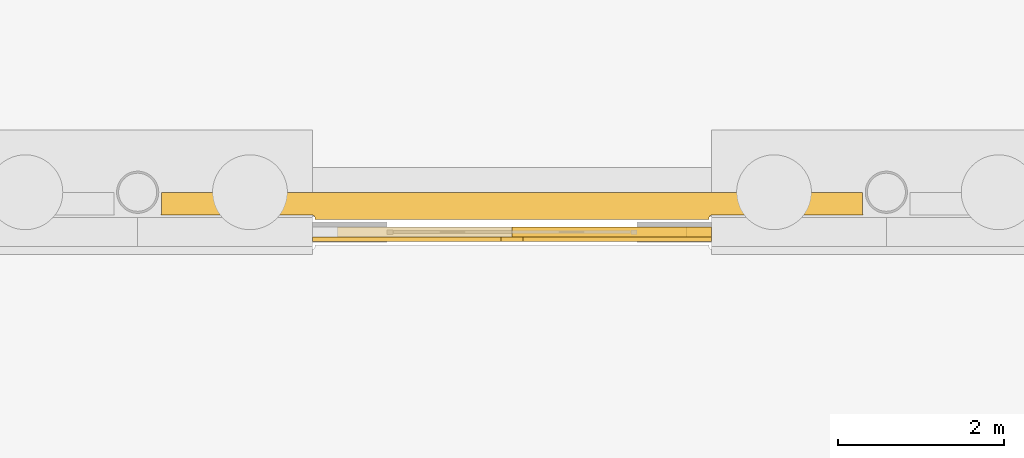
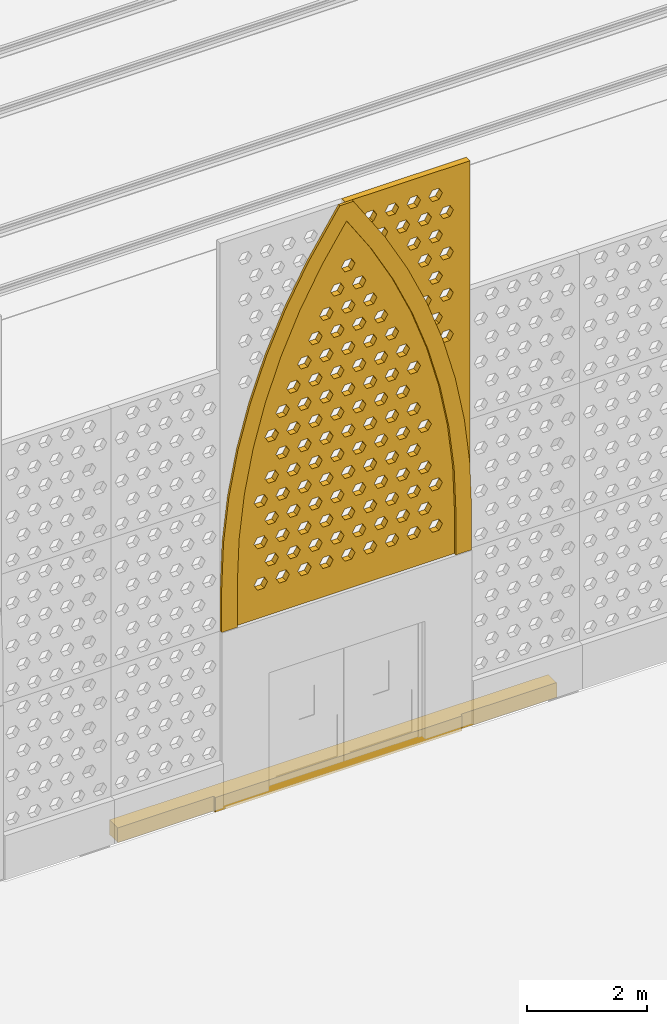
# One storey, part 207 of 250: 2 coverings, 2 shading devices.
"""IFC4 building model written with IfcOpenShell, lengths in metres."""

from ifc_helpers import new_model, si_unit, direction, frame, origin, place, context, subcontext, project, spatial, polyline, outline, extrude, material, layer, layer_set, type_object, element, save


model = new_model("IFC4")

# Units and contexts
model_context = context("Model", 3, precision=1e-05, world=origin(), true_north=direction((0.0, 1.0)))
body_context = subcontext(model_context, "Body", "Model", "MODEL_VIEW")
ifc_project = project(units=[si_unit("LENGTHUNIT", "METRE"), si_unit("AREAUNIT", "SQUARE_METRE"), si_unit("VOLUMEUNIT", "CUBIC_METRE"), si_unit("PLANEANGLEUNIT", "RADIAN"), si_unit("MASSUNIT", "GRAM", prefix="KILO")], contexts=[model_context])

# Site, building, storey
site_placement = place(None, origin())
site = spatial("IfcSite", under=ifc_project, at=site_placement, CompositionType="ELEMENT")
building_placement = place(site_placement, origin())
building = spatial("IfcBuilding", under=site, at=building_placement, Name="Baradari Gate Terminus", CompositionType="ELEMENT")
storey_placement = place(building_placement, origin())
storey = spatial("IfcBuildingStorey", under=building, at=storey_placement, Name="L00", CompositionType="ELEMENT", Elevation=0.0)

# Covering
ifc_material_1 = material(Name="Laterite masonry", Category="masonry")
ifc_layer_1 = layer(ifc_material_1, 0.050048828125)
ifc_layer_set_1 = layer_set([ifc_layer_1], Name="Laterite masonry")
covering_type_1 = type_object("IfcCoveringType", Name="Arch ring RG-1 50", PredefinedType="CLADDING", material=ifc_layer_set_1)
covering_1_placement = place(storey_placement, frame((218.10009765625, 35.43505859375, 3.52490234375), z_axis=(0.0, 0.0, 1.0), x_axis=(1.0, 0.0, 0.0)))
element("IfcCovering", 1, at=covering_1_placement, inside=storey, type_object=covering_type_1, Name="Arch ring RG-1 SC07b", PredefinedType="CLADDING", context=body_context, shape_type="SweptSolid", body=[
    extrude(outline(polyline([(0.034423828125, 1.8046875), (0.0, 0.90576171875), (0.0, 0.0), (0.300048828125, 0.0), (0.300048828125, 0.900146484375), (0.333740234375, 1.78173828125), (0.435302734375, 2.658203125), (0.603515625, 3.5244140625), (0.837646484375, 4.375), (1.13623046875, 5.205322265625), (1.49755859375, 6.01025390625), (1.919677734375, 6.784912109375), (2.39990234375, 7.525146484375), (2.880126953125, 6.784912109375), (3.30224609375, 6.01025390625), (3.663818359375, 5.205322265625), (3.96240234375, 4.375), (4.196533203125, 3.5244140625), (4.36474609375, 2.658203125), (4.466064453125, 1.78173828125), (4.5, 0.900146484375), (4.5, 0.0), (4.800048828125, 0.0), (4.800048828125, 0.90576171875), (4.765380859375, 1.8046875), (4.66162109375, 2.7041015625), (4.48876953125, 3.5927734375), (4.24853515625, 4.4658203125), (3.942138671875, 5.317626953125), (3.5712890625, 6.1435546875), (3.13818359375, 6.9384765625), (2.530517578125, 7.875), (2.26953125, 7.875), (1.661865234375, 6.9384765625), (1.228759765625, 6.1435546875), (0.85791015625, 5.317626953125), (0.55126953125, 4.4658203125), (0.31103515625, 3.5927734375), (0.138427734375, 2.7041015625), (0.034423828125, 1.8046875)])), frame((0.0, 0.02490234375, 0.0), z_axis=(0.0, -1.0, 0.0), x_axis=(1.0, 0.0, 0.0)), (0.0, 0.0, 1.0), 0.050048828125),
])

# Shading devices
ifc_material_2 = material(Name="Concrete C50/60 precast", Category="concrete")
ifc_layer_2 = layer(ifc_material_2, 0.1201171875)
ifc_layer_set_2 = layer_set([ifc_layer_2], Name="Concrete C50/60 precast")
shading_device_type = type_object("IfcShadingDeviceType", Name="Jali screen panel JS-2 120", PredefinedType="SHUTTER", material=ifc_layer_set_2)
shading_device_1_placement = place(storey_placement, frame((218.39990234375, 35.52001953125, 3.52490234375), z_axis=(0.0, 0.0, 1.0), x_axis=(1.0, 0.0, 0.0)))
element("IfcShadingDevice", 2, at=shading_device_1_placement, inside=storey, type_object=shading_device_type, Name="Jali screen panel JS-2 SC07b arch A", PredefinedType="SHUTTER", context=body_context, shape_type="SweptSolid", body=[
    extrude(outline(polyline([(0.0, 0.900146484375), (0.0, 0.0), (4.199951171875, 0.0), (4.199951171875, 0.900146484375), (4.166259765625, 1.78173828125), (4.064697265625, 2.658203125), (3.896484375, 3.5244140625), (3.662353515625, 4.375), (3.36376953125, 5.205322265625), (3.00244140625, 6.01025390625), (2.580322265625, 6.784912109375), (2.10009765625, 7.525146484375), (1.619873046875, 6.784912109375), (1.19775390625, 6.01025390625), (0.836181640625, 5.205322265625), (0.53759765625, 4.375), (0.303466796875, 3.5244140625), (0.13525390625, 2.658203125), (0.033935546875, 1.78173828125), (0.0, 0.900146484375)]), holes=[polyline([(0.610107421875, 0.690185546875), (0.544921875, 0.57763671875), (0.4150390625, 0.57763671875), (0.35009765625, 0.690185546875), (0.4150390625, 0.802734375), (0.544921875, 0.802734375), (0.610107421875, 0.690185546875)]), polyline([(1.030029296875, 0.690185546875), (0.965087890625, 0.57763671875), (0.8349609375, 0.57763671875), (0.77001953125, 0.690185546875), (0.8349609375, 0.802734375), (0.965087890625, 0.802734375), (1.030029296875, 0.690185546875)]), polyline([(1.449951171875, 0.690185546875), (1.385009765625, 0.57763671875), (1.2548828125, 0.57763671875), (1.18994140625, 0.690185546875), (1.2548828125, 0.802734375), (1.385009765625, 0.802734375), (1.449951171875, 0.690185546875)]), polyline([(1.8701171875, 0.690185546875), (1.804931640625, 0.57763671875), (1.675048828125, 0.57763671875), (1.610107421875, 0.690185546875), (1.675048828125, 0.802734375), (1.804931640625, 0.802734375), (1.8701171875, 0.690185546875)]), polyline([(2.2900390625, 0.690185546875), (2.22509765625, 0.57763671875), (2.094970703125, 0.57763671875), (2.030029296875, 0.690185546875), (2.094970703125, 0.802734375), (2.22509765625, 0.802734375), (2.2900390625, 0.690185546875)]), polyline([(2.7099609375, 0.690185546875), (2.64501953125, 0.57763671875), (2.514892578125, 0.57763671875), (2.449951171875, 0.690185546875), (2.514892578125, 0.802734375), (2.64501953125, 0.802734375), (2.7099609375, 0.690185546875)]), polyline([(3.1298828125, 0.690185546875), (3.06494140625, 0.57763671875), (2.93505859375, 0.57763671875), (2.8701171875, 0.690185546875), (2.93505859375, 0.802734375), (3.06494140625, 0.802734375), (3.1298828125, 0.690185546875)]), polyline([(3.550048828125, 0.690185546875), (3.485107421875, 0.57763671875), (3.35498046875, 0.57763671875), (3.2900390625, 0.690185546875), (3.35498046875, 0.802734375), (3.485107421875, 0.802734375), (3.550048828125, 0.690185546875)]), polyline([(3.969970703125, 0.690185546875), (3.905029296875, 0.57763671875), (3.77490234375, 0.57763671875), (3.7099609375, 0.690185546875), (3.77490234375, 0.802734375), (3.905029296875, 0.802734375), (3.969970703125, 0.690185546875)]), polyline([(0.820068359375, 1.110107421875), (0.7548828125, 0.99755859375), (0.625, 0.99755859375), (0.56005859375, 1.110107421875), (0.625, 1.22265625), (0.7548828125, 1.22265625), (0.820068359375, 1.110107421875)]), polyline([(1.239990234375, 1.110107421875), (1.175048828125, 0.99755859375), (1.044921875, 0.99755859375), (0.97998046875, 1.110107421875), (1.044921875, 1.22265625), (1.175048828125, 1.22265625), (1.239990234375, 1.110107421875)]), polyline([(1.659912109375, 1.110107421875), (1.594970703125, 0.99755859375), (1.465087890625, 0.99755859375), (1.39990234375, 1.110107421875), (1.465087890625, 1.22265625), (1.594970703125, 1.22265625), (1.659912109375, 1.110107421875)]), polyline([(2.080078125, 1.110107421875), (2.014892578125, 0.99755859375), (1.885009765625, 0.99755859375), (1.820068359375, 1.110107421875), (1.885009765625, 1.22265625), (2.014892578125, 1.22265625), (2.080078125, 1.110107421875)]), polyline([(2.5, 1.110107421875), (2.43505859375, 0.99755859375), (2.304931640625, 0.99755859375), (2.239990234375, 1.110107421875), (2.304931640625, 1.22265625), (2.43505859375, 1.22265625), (2.5, 1.110107421875)]), polyline([(2.919921875, 1.110107421875), (2.85498046875, 0.99755859375), (2.72509765625, 0.99755859375), (2.659912109375, 1.110107421875), (2.72509765625, 1.22265625), (2.85498046875, 1.22265625), (2.919921875, 1.110107421875)]), polyline([(3.340087890625, 1.110107421875), (3.27490234375, 0.99755859375), (3.14501953125, 0.99755859375), (3.080078125, 1.110107421875), (3.14501953125, 1.22265625), (3.27490234375, 1.22265625), (3.340087890625, 1.110107421875)]), polyline([(3.760009765625, 1.110107421875), (3.695068359375, 0.99755859375), (3.56494140625, 0.99755859375), (3.5, 1.110107421875), (3.56494140625, 1.22265625), (3.695068359375, 1.22265625), (3.760009765625, 1.110107421875)]), polyline([(0.610107421875, 1.530029296875), (0.544921875, 1.41748046875), (0.4150390625, 1.41748046875), (0.35009765625, 1.530029296875), (0.4150390625, 1.642578125), (0.544921875, 1.642578125), (0.610107421875, 1.530029296875)]), polyline([(1.030029296875, 1.530029296875), (0.965087890625, 1.41748046875), (0.8349609375, 1.41748046875), (0.77001953125, 1.530029296875), (0.8349609375, 1.642578125), (0.965087890625, 1.642578125), (1.030029296875, 1.530029296875)]), polyline([(1.449951171875, 1.530029296875), (1.385009765625, 1.41748046875), (1.2548828125, 1.41748046875), (1.18994140625, 1.530029296875), (1.2548828125, 1.642578125), (1.385009765625, 1.642578125), (1.449951171875, 1.530029296875)]), polyline([(1.8701171875, 1.530029296875), (1.804931640625, 1.41748046875), (1.675048828125, 1.41748046875), (1.610107421875, 1.530029296875), (1.675048828125, 1.642578125), (1.804931640625, 1.642578125), (1.8701171875, 1.530029296875)]), polyline([(2.2900390625, 1.530029296875), (2.22509765625, 1.41748046875), (2.094970703125, 1.41748046875), (2.030029296875, 1.530029296875), (2.094970703125, 1.642578125), (2.22509765625, 1.642578125), (2.2900390625, 1.530029296875)]), polyline([(2.7099609375, 1.530029296875), (2.64501953125, 1.41748046875), (2.514892578125, 1.41748046875), (2.449951171875, 1.530029296875), (2.514892578125, 1.642578125), (2.64501953125, 1.642578125), (2.7099609375, 1.530029296875)]), polyline([(3.1298828125, 1.530029296875), (3.06494140625, 1.41748046875), (2.93505859375, 1.41748046875), (2.8701171875, 1.530029296875), (2.93505859375, 1.642578125), (3.06494140625, 1.642578125), (3.1298828125, 1.530029296875)]), polyline([(3.550048828125, 1.530029296875), (3.485107421875, 1.41748046875), (3.35498046875, 1.41748046875), (3.2900390625, 1.530029296875), (3.35498046875, 1.642578125), (3.485107421875, 1.642578125), (3.550048828125, 1.530029296875)]), polyline([(3.969970703125, 1.530029296875), (3.905029296875, 1.41748046875), (3.77490234375, 1.41748046875), (3.7099609375, 1.530029296875), (3.77490234375, 1.642578125), (3.905029296875, 1.642578125), (3.969970703125, 1.530029296875)]), polyline([(0.820068359375, 1.9501953125), (0.7548828125, 1.83740234375), (0.625, 1.83740234375), (0.56005859375, 1.9501953125), (0.625, 2.062744140625), (0.7548828125, 2.062744140625), (0.820068359375, 1.9501953125)]), polyline([(1.239990234375, 1.9501953125), (1.175048828125, 1.83740234375), (1.044921875, 1.83740234375), (0.97998046875, 1.9501953125), (1.044921875, 2.062744140625), (1.175048828125, 2.062744140625), (1.239990234375, 1.9501953125)]), polyline([(1.659912109375, 1.9501953125), (1.594970703125, 1.83740234375), (1.465087890625, 1.83740234375), (1.39990234375, 1.9501953125), (1.465087890625, 2.062744140625), (1.594970703125, 2.062744140625), (1.659912109375, 1.9501953125)]), polyline([(2.080078125, 1.9501953125), (2.014892578125, 1.83740234375), (1.885009765625, 1.83740234375), (1.820068359375, 1.9501953125), (1.885009765625, 2.062744140625), (2.014892578125, 2.062744140625), (2.080078125, 1.9501953125)]), polyline([(2.5, 1.9501953125), (2.43505859375, 1.83740234375), (2.304931640625, 1.83740234375), (2.239990234375, 1.9501953125), (2.304931640625, 2.062744140625), (2.43505859375, 2.062744140625), (2.5, 1.9501953125)]), polyline([(2.919921875, 1.9501953125), (2.85498046875, 1.83740234375), (2.72509765625, 1.83740234375), (2.659912109375, 1.9501953125), (2.72509765625, 2.062744140625), (2.85498046875, 2.062744140625), (2.919921875, 1.9501953125)]), polyline([(3.340087890625, 1.9501953125), (3.27490234375, 1.83740234375), (3.14501953125, 1.83740234375), (3.080078125, 1.9501953125), (3.14501953125, 2.062744140625), (3.27490234375, 2.062744140625), (3.340087890625, 1.9501953125)]), polyline([(3.760009765625, 1.9501953125), (3.695068359375, 1.83740234375), (3.56494140625, 1.83740234375), (3.5, 1.9501953125), (3.56494140625, 2.062744140625), (3.695068359375, 2.062744140625), (3.760009765625, 1.9501953125)]), polyline([(0.610107421875, 2.3701171875), (0.544921875, 2.257568359375), (0.4150390625, 2.257568359375), (0.35009765625, 2.3701171875), (0.4150390625, 2.482666015625), (0.544921875, 2.482666015625), (0.610107421875, 2.3701171875)]), polyline([(1.030029296875, 2.3701171875), (0.965087890625, 2.257568359375), (0.8349609375, 2.257568359375), (0.77001953125, 2.3701171875), (0.8349609375, 2.482666015625), (0.965087890625, 2.482666015625), (1.030029296875, 2.3701171875)]), polyline([(1.449951171875, 2.3701171875), (1.385009765625, 2.257568359375), (1.2548828125, 2.257568359375), (1.18994140625, 2.3701171875), (1.2548828125, 2.482666015625), (1.385009765625, 2.482666015625), (1.449951171875, 2.3701171875)]), polyline([(1.8701171875, 2.3701171875), (1.804931640625, 2.257568359375), (1.675048828125, 2.257568359375), (1.610107421875, 2.3701171875), (1.675048828125, 2.482666015625), (1.804931640625, 2.482666015625), (1.8701171875, 2.3701171875)]), polyline([(2.2900390625, 2.3701171875), (2.22509765625, 2.257568359375), (2.094970703125, 2.257568359375), (2.030029296875, 2.3701171875), (2.094970703125, 2.482666015625), (2.22509765625, 2.482666015625), (2.2900390625, 2.3701171875)]), polyline([(2.7099609375, 2.3701171875), (2.64501953125, 2.257568359375), (2.514892578125, 2.257568359375), (2.449951171875, 2.3701171875), (2.514892578125, 2.482666015625), (2.64501953125, 2.482666015625), (2.7099609375, 2.3701171875)]), polyline([(3.1298828125, 2.3701171875), (3.06494140625, 2.257568359375), (2.93505859375, 2.257568359375), (2.8701171875, 2.3701171875), (2.93505859375, 2.482666015625), (3.06494140625, 2.482666015625), (3.1298828125, 2.3701171875)]), polyline([(3.550048828125, 2.3701171875), (3.485107421875, 2.257568359375), (3.35498046875, 2.257568359375), (3.2900390625, 2.3701171875), (3.35498046875, 2.482666015625), (3.485107421875, 2.482666015625), (3.550048828125, 2.3701171875)]), polyline([(0.820068359375, 2.7900390625), (0.7548828125, 2.677490234375), (0.625, 2.677490234375), (0.56005859375, 2.7900390625), (0.625, 2.902587890625), (0.7548828125, 2.902587890625), (0.820068359375, 2.7900390625)]), polyline([(1.239990234375, 2.7900390625), (1.175048828125, 2.677490234375), (1.044921875, 2.677490234375), (0.97998046875, 2.7900390625), (1.044921875, 2.902587890625), (1.175048828125, 2.902587890625), (1.239990234375, 2.7900390625)]), polyline([(1.659912109375, 2.7900390625), (1.594970703125, 2.677490234375), (1.465087890625, 2.677490234375), (1.39990234375, 2.7900390625), (1.465087890625, 2.902587890625), (1.594970703125, 2.902587890625), (1.659912109375, 2.7900390625)]), polyline([(2.080078125, 2.7900390625), (2.014892578125, 2.677490234375), (1.885009765625, 2.677490234375), (1.820068359375, 2.7900390625), (1.885009765625, 2.902587890625), (2.014892578125, 2.902587890625), (2.080078125, 2.7900390625)]), polyline([(2.5, 2.7900390625), (2.43505859375, 2.677490234375), (2.304931640625, 2.677490234375), (2.239990234375, 2.7900390625), (2.304931640625, 2.902587890625), (2.43505859375, 2.902587890625), (2.5, 2.7900390625)]), polyline([(2.919921875, 2.7900390625), (2.85498046875, 2.677490234375), (2.72509765625, 2.677490234375), (2.659912109375, 2.7900390625), (2.72509765625, 2.902587890625), (2.85498046875, 2.902587890625), (2.919921875, 2.7900390625)]), polyline([(3.340087890625, 2.7900390625), (3.27490234375, 2.677490234375), (3.14501953125, 2.677490234375), (3.080078125, 2.7900390625), (3.14501953125, 2.902587890625), (3.27490234375, 2.902587890625), (3.340087890625, 2.7900390625)]), polyline([(3.760009765625, 2.7900390625), (3.695068359375, 2.677490234375), (3.56494140625, 2.677490234375), (3.5, 2.7900390625), (3.56494140625, 2.902587890625), (3.695068359375, 2.902587890625), (3.760009765625, 2.7900390625)]), polyline([(1.030029296875, 3.210205078125), (0.965087890625, 3.097412109375), (0.8349609375, 3.097412109375), (0.77001953125, 3.210205078125), (0.8349609375, 3.32275390625), (0.965087890625, 3.32275390625), (1.030029296875, 3.210205078125)]), polyline([(1.449951171875, 3.210205078125), (1.385009765625, 3.097412109375), (1.2548828125, 3.097412109375), (1.18994140625, 3.210205078125), (1.2548828125, 3.32275390625), (1.385009765625, 3.32275390625), (1.449951171875, 3.210205078125)]), polyline([(1.8701171875, 3.210205078125), (1.804931640625, 3.097412109375), (1.675048828125, 3.097412109375), (1.610107421875, 3.210205078125), (1.675048828125, 3.32275390625), (1.804931640625, 3.32275390625), (1.8701171875, 3.210205078125)]), polyline([(2.2900390625, 3.210205078125), (2.22509765625, 3.097412109375), (2.094970703125, 3.097412109375), (2.030029296875, 3.210205078125), (2.094970703125, 3.32275390625), (2.22509765625, 3.32275390625), (2.2900390625, 3.210205078125)]), polyline([(2.7099609375, 3.210205078125), (2.64501953125, 3.097412109375), (2.514892578125, 3.097412109375), (2.449951171875, 3.210205078125), (2.514892578125, 3.32275390625), (2.64501953125, 3.32275390625), (2.7099609375, 3.210205078125)]), polyline([(3.1298828125, 3.210205078125), (3.06494140625, 3.097412109375), (2.93505859375, 3.097412109375), (2.8701171875, 3.210205078125), (2.93505859375, 3.32275390625), (3.06494140625, 3.32275390625), (3.1298828125, 3.210205078125)]), polyline([(3.550048828125, 3.210205078125), (3.485107421875, 3.097412109375), (3.35498046875, 3.097412109375), (3.2900390625, 3.210205078125), (3.35498046875, 3.32275390625), (3.485107421875, 3.32275390625), (3.550048828125, 3.210205078125)]), polyline([(0.820068359375, 3.630126953125), (0.7548828125, 3.517578125), (0.625, 3.517578125), (0.56005859375, 3.630126953125), (0.625, 3.74267578125), (0.7548828125, 3.74267578125), (0.820068359375, 3.630126953125)]), polyline([(1.239990234375, 3.630126953125), (1.175048828125, 3.517578125), (1.044921875, 3.517578125), (0.97998046875, 3.630126953125), (1.044921875, 3.74267578125), (1.175048828125, 3.74267578125), (1.239990234375, 3.630126953125)]), polyline([(1.659912109375, 3.630126953125), (1.594970703125, 3.517578125), (1.465087890625, 3.517578125), (1.39990234375, 3.630126953125), (1.465087890625, 3.74267578125), (1.594970703125, 3.74267578125), (1.659912109375, 3.630126953125)]), polyline([(2.080078125, 3.630126953125), (2.014892578125, 3.517578125), (1.885009765625, 3.517578125), (1.820068359375, 3.630126953125), (1.885009765625, 3.74267578125), (2.014892578125, 3.74267578125), (2.080078125, 3.630126953125)]), polyline([(2.5, 3.630126953125), (2.43505859375, 3.517578125), (2.304931640625, 3.517578125), (2.239990234375, 3.630126953125), (2.304931640625, 3.74267578125), (2.43505859375, 3.74267578125), (2.5, 3.630126953125)]), polyline([(2.919921875, 3.630126953125), (2.85498046875, 3.517578125), (2.72509765625, 3.517578125), (2.659912109375, 3.630126953125), (2.72509765625, 3.74267578125), (2.85498046875, 3.74267578125), (2.919921875, 3.630126953125)]), polyline([(3.340087890625, 3.630126953125), (3.27490234375, 3.517578125), (3.14501953125, 3.517578125), (3.080078125, 3.630126953125), (3.14501953125, 3.74267578125), (3.27490234375, 3.74267578125), (3.340087890625, 3.630126953125)]), polyline([(1.030029296875, 4.050048828125), (0.965087890625, 3.9375), (0.8349609375, 3.9375), (0.77001953125, 4.050048828125), (0.8349609375, 4.16259765625), (0.965087890625, 4.16259765625), (1.030029296875, 4.050048828125)]), polyline([(1.449951171875, 4.050048828125), (1.385009765625, 3.9375), (1.2548828125, 3.9375), (1.18994140625, 4.050048828125), (1.2548828125, 4.16259765625), (1.385009765625, 4.16259765625), (1.449951171875, 4.050048828125)]), polyline([(1.8701171875, 4.050048828125), (1.804931640625, 3.9375), (1.675048828125, 3.9375), (1.610107421875, 4.050048828125), (1.675048828125, 4.16259765625), (1.804931640625, 4.16259765625), (1.8701171875, 4.050048828125)]), polyline([(2.2900390625, 4.050048828125), (2.22509765625, 3.9375), (2.094970703125, 3.9375), (2.030029296875, 4.050048828125), (2.094970703125, 4.16259765625), (2.22509765625, 4.16259765625), (2.2900390625, 4.050048828125)]), polyline([(2.7099609375, 4.050048828125), (2.64501953125, 3.9375), (2.514892578125, 3.9375), (2.449951171875, 4.050048828125), (2.514892578125, 4.16259765625), (2.64501953125, 4.16259765625), (2.7099609375, 4.050048828125)]), polyline([(3.1298828125, 4.050048828125), (3.06494140625, 3.9375), (2.93505859375, 3.9375), (2.8701171875, 4.050048828125), (2.93505859375, 4.16259765625), (3.06494140625, 4.16259765625), (3.1298828125, 4.050048828125)]), polyline([(3.550048828125, 4.050048828125), (3.485107421875, 3.9375), (3.35498046875, 3.9375), (3.2900390625, 4.050048828125), (3.35498046875, 4.16259765625), (3.485107421875, 4.16259765625), (3.550048828125, 4.050048828125)]), polyline([(1.239990234375, 4.47021484375), (1.175048828125, 4.357421875), (1.044921875, 4.357421875), (0.97998046875, 4.47021484375), (1.044921875, 4.582763671875), (1.175048828125, 4.582763671875), (1.239990234375, 4.47021484375)]), polyline([(1.659912109375, 4.47021484375), (1.594970703125, 4.357421875), (1.465087890625, 4.357421875), (1.39990234375, 4.47021484375), (1.465087890625, 4.582763671875), (1.594970703125, 4.582763671875), (1.659912109375, 4.47021484375)]), polyline([(2.080078125, 4.47021484375), (2.014892578125, 4.357421875), (1.885009765625, 4.357421875), (1.820068359375, 4.47021484375), (1.885009765625, 4.582763671875), (2.014892578125, 4.582763671875), (2.080078125, 4.47021484375)]), polyline([(2.5, 4.47021484375), (2.43505859375, 4.357421875), (2.304931640625, 4.357421875), (2.239990234375, 4.47021484375), (2.304931640625, 4.582763671875), (2.43505859375, 4.582763671875), (2.5, 4.47021484375)]), polyline([(2.919921875, 4.47021484375), (2.85498046875, 4.357421875), (2.72509765625, 4.357421875), (2.659912109375, 4.47021484375), (2.72509765625, 4.582763671875), (2.85498046875, 4.582763671875), (2.919921875, 4.47021484375)]), polyline([(3.340087890625, 4.47021484375), (3.27490234375, 4.357421875), (3.14501953125, 4.357421875), (3.080078125, 4.47021484375), (3.14501953125, 4.582763671875), (3.27490234375, 4.582763671875), (3.340087890625, 4.47021484375)]), polyline([(1.449951171875, 4.89013671875), (1.385009765625, 4.777587890625), (1.2548828125, 4.777587890625), (1.18994140625, 4.89013671875), (1.2548828125, 5.002685546875), (1.385009765625, 5.002685546875), (1.449951171875, 4.89013671875)]), polyline([(1.8701171875, 4.89013671875), (1.804931640625, 4.777587890625), (1.675048828125, 4.777587890625), (1.610107421875, 4.89013671875), (1.675048828125, 5.002685546875), (1.804931640625, 5.002685546875), (1.8701171875, 4.89013671875)]), polyline([(2.2900390625, 4.89013671875), (2.22509765625, 4.777587890625), (2.094970703125, 4.777587890625), (2.030029296875, 4.89013671875), (2.094970703125, 5.002685546875), (2.22509765625, 5.002685546875), (2.2900390625, 4.89013671875)]), polyline([(2.7099609375, 4.89013671875), (2.64501953125, 4.777587890625), (2.514892578125, 4.777587890625), (2.449951171875, 4.89013671875), (2.514892578125, 5.002685546875), (2.64501953125, 5.002685546875), (2.7099609375, 4.89013671875)]), polyline([(3.1298828125, 4.89013671875), (3.06494140625, 4.777587890625), (2.93505859375, 4.777587890625), (2.8701171875, 4.89013671875), (2.93505859375, 5.002685546875), (3.06494140625, 5.002685546875), (3.1298828125, 4.89013671875)]), polyline([(1.659912109375, 5.31005859375), (1.594970703125, 5.197509765625), (1.465087890625, 5.197509765625), (1.39990234375, 5.31005859375), (1.465087890625, 5.422607421875), (1.594970703125, 5.422607421875), (1.659912109375, 5.31005859375)]), polyline([(2.080078125, 5.31005859375), (2.014892578125, 5.197509765625), (1.885009765625, 5.197509765625), (1.820068359375, 5.31005859375), (1.885009765625, 5.422607421875), (2.014892578125, 5.422607421875), (2.080078125, 5.31005859375)]), polyline([(2.5, 5.31005859375), (2.43505859375, 5.197509765625), (2.304931640625, 5.197509765625), (2.239990234375, 5.31005859375), (2.304931640625, 5.422607421875), (2.43505859375, 5.422607421875), (2.5, 5.31005859375)]), polyline([(2.919921875, 5.31005859375), (2.85498046875, 5.197509765625), (2.72509765625, 5.197509765625), (2.659912109375, 5.31005859375), (2.72509765625, 5.422607421875), (2.85498046875, 5.422607421875), (2.919921875, 5.31005859375)]), polyline([(1.8701171875, 5.72998046875), (1.804931640625, 5.617431640625), (1.675048828125, 5.617431640625), (1.610107421875, 5.72998046875), (1.675048828125, 5.8427734375), (1.804931640625, 5.8427734375), (1.8701171875, 5.72998046875)]), polyline([(2.2900390625, 5.72998046875), (2.22509765625, 5.617431640625), (2.094970703125, 5.617431640625), (2.030029296875, 5.72998046875), (2.094970703125, 5.8427734375), (2.22509765625, 5.8427734375), (2.2900390625, 5.72998046875)]), polyline([(2.7099609375, 5.72998046875), (2.64501953125, 5.617431640625), (2.514892578125, 5.617431640625), (2.449951171875, 5.72998046875), (2.514892578125, 5.8427734375), (2.64501953125, 5.8427734375), (2.7099609375, 5.72998046875)]), polyline([(2.080078125, 6.150146484375), (2.014892578125, 6.03759765625), (1.885009765625, 6.03759765625), (1.820068359375, 6.150146484375), (1.885009765625, 6.2626953125), (2.014892578125, 6.2626953125), (2.080078125, 6.150146484375)]), polyline([(2.5, 6.150146484375), (2.43505859375, 6.03759765625), (2.304931640625, 6.03759765625), (2.239990234375, 6.150146484375), (2.304931640625, 6.2626953125), (2.43505859375, 6.2626953125), (2.5, 6.150146484375)]), polyline([(2.2900390625, 6.570068359375), (2.22509765625, 6.45751953125), (2.094970703125, 6.45751953125), (2.030029296875, 6.570068359375), (2.094970703125, 6.6826171875), (2.22509765625, 6.6826171875), (2.2900390625, 6.570068359375)])]), frame((0.0, 0.06005859375, 0.0), z_axis=(0.0, -1.0, 0.0), x_axis=(1.0, 0.0, 0.0)), (0.0, 0.0, 1.0), 0.1201171875),
])
shading_device_2_placement = place(storey_placement, frame((220.5, 35.52001953125, 3.52490234375), z_axis=(0.0, 0.0, 1.0), x_axis=(1.0, 0.0, 0.0)))
element("IfcShadingDevice", 3, at=shading_device_2_placement, inside=storey, type_object=shading_device_type, Name="Jali screen panel JS-2 SC07b arch R1", PredefinedType="SHUTTER", context=body_context, shape_type="SweptSolid", body=[
    extrude(outline(polyline([(0.0, 7.875), (0.0, 7.525146484375), (0.480224609375, 6.784912109375), (0.90234375, 6.01025390625), (1.263671875, 5.205322265625), (1.5625, 4.375), (1.796630859375, 3.5244140625), (1.96484375, 2.658203125), (2.066162109375, 1.78173828125), (2.10009765625, 0.900146484375), (2.10009765625, 0.0), (2.39990234375, 0.0), (2.39990234375, 7.875), (0.0, 7.875)]), holes=[polyline([(2.080078125, 4.47021484375), (2.014892578125, 4.357421875), (1.885009765625, 4.357421875), (1.820068359375, 4.47021484375), (1.885009765625, 4.582763671875), (2.014892578125, 4.582763671875), (2.080078125, 4.47021484375)]), polyline([(1.8701171875, 4.89013671875), (1.804931640625, 4.777587890625), (1.675048828125, 4.777587890625), (1.610107421875, 4.89013671875), (1.675048828125, 5.002685546875), (1.804931640625, 5.002685546875), (1.8701171875, 4.89013671875)]), polyline([(1.659912109375, 5.31005859375), (1.594970703125, 5.197509765625), (1.465087890625, 5.197509765625), (1.39990234375, 5.31005859375), (1.465087890625, 5.422607421875), (1.594970703125, 5.422607421875), (1.659912109375, 5.31005859375)]), polyline([(2.080078125, 5.31005859375), (2.014892578125, 5.197509765625), (1.885009765625, 5.197509765625), (1.820068359375, 5.31005859375), (1.885009765625, 5.422607421875), (2.014892578125, 5.422607421875), (2.080078125, 5.31005859375)]), polyline([(1.8701171875, 5.72998046875), (1.804931640625, 5.617431640625), (1.675048828125, 5.617431640625), (1.610107421875, 5.72998046875), (1.675048828125, 5.8427734375), (1.804931640625, 5.8427734375), (1.8701171875, 5.72998046875)]), polyline([(1.659912109375, 6.150146484375), (1.594970703125, 6.03759765625), (1.465087890625, 6.03759765625), (1.39990234375, 6.150146484375), (1.465087890625, 6.2626953125), (1.594970703125, 6.2626953125), (1.659912109375, 6.150146484375)]), polyline([(2.080078125, 6.150146484375), (2.014892578125, 6.03759765625), (1.885009765625, 6.03759765625), (1.820068359375, 6.150146484375), (1.885009765625, 6.2626953125), (2.014892578125, 6.2626953125), (2.080078125, 6.150146484375)]), polyline([(1.449951171875, 6.570068359375), (1.385009765625, 6.45751953125), (1.2548828125, 6.45751953125), (1.18994140625, 6.570068359375), (1.2548828125, 6.6826171875), (1.385009765625, 6.6826171875), (1.449951171875, 6.570068359375)]), polyline([(1.8701171875, 6.570068359375), (1.804931640625, 6.45751953125), (1.675048828125, 6.45751953125), (1.610107421875, 6.570068359375), (1.675048828125, 6.6826171875), (1.804931640625, 6.6826171875), (1.8701171875, 6.570068359375)]), polyline([(0.820068359375, 6.989990234375), (0.7548828125, 6.87744140625), (0.625, 6.87744140625), (0.56005859375, 6.989990234375), (0.625, 7.102783203125), (0.7548828125, 7.102783203125), (0.820068359375, 6.989990234375)]), polyline([(1.239990234375, 6.989990234375), (1.175048828125, 6.87744140625), (1.044921875, 6.87744140625), (0.97998046875, 6.989990234375), (1.044921875, 7.102783203125), (1.175048828125, 7.102783203125), (1.239990234375, 6.989990234375)]), polyline([(1.659912109375, 6.989990234375), (1.594970703125, 6.87744140625), (1.465087890625, 6.87744140625), (1.39990234375, 6.989990234375), (1.465087890625, 7.102783203125), (1.594970703125, 7.102783203125), (1.659912109375, 6.989990234375)]), polyline([(2.080078125, 6.989990234375), (2.014892578125, 6.87744140625), (1.885009765625, 6.87744140625), (1.820068359375, 6.989990234375), (1.885009765625, 7.102783203125), (2.014892578125, 7.102783203125), (2.080078125, 6.989990234375)]), polyline([(0.610107421875, 7.41015625), (0.544921875, 7.297607421875), (0.4150390625, 7.297607421875), (0.35009765625, 7.41015625), (0.4150390625, 7.522705078125), (0.544921875, 7.522705078125), (0.610107421875, 7.41015625)]), polyline([(1.030029296875, 7.41015625), (0.965087890625, 7.297607421875), (0.8349609375, 7.297607421875), (0.77001953125, 7.41015625), (0.8349609375, 7.522705078125), (0.965087890625, 7.522705078125), (1.030029296875, 7.41015625)]), polyline([(1.449951171875, 7.41015625), (1.385009765625, 7.297607421875), (1.2548828125, 7.297607421875), (1.18994140625, 7.41015625), (1.2548828125, 7.522705078125), (1.385009765625, 7.522705078125), (1.449951171875, 7.41015625)]), polyline([(1.8701171875, 7.41015625), (1.804931640625, 7.297607421875), (1.675048828125, 7.297607421875), (1.610107421875, 7.41015625), (1.675048828125, 7.522705078125), (1.804931640625, 7.522705078125), (1.8701171875, 7.41015625)])]), frame((0.0, 0.06005859375, 0.0), z_axis=(0.0, -1.0, 0.0), x_axis=(1.0, 0.0, 0.0)), (0.0, 0.0, 1.0), 0.1201171875),
])

# Covering
ifc_material_3 = material(Name="Planted lawn")
ifc_layer_3 = layer(ifc_material_3, 0.300048828125)
ifc_layer_set_3 = layer_set([ifc_layer_3], Name="Planted lawn")
covering_type_2 = type_object("IfcCoveringType", Name="Planted lawn bed LW-1 300", PredefinedType="USERDEFINED", material=ifc_layer_set_3)
covering_2_placement = place(storey_placement, frame((0.0, 0.0, -0.300048828125)))
element("IfcCovering", 4, at=covering_2_placement, inside=storey, type_object=covering_type_2, Name="Planted lawn 10", ObjectType="LAWN", PredefinedType="USERDEFINED", context=body_context, shape_type="SweptSolid", body=[
    extrude(outline(polyline([(216.280517578125, 35.73193359375), (216.279052734375, 35.729248046875), (216.277099609375, 35.72705078125), (216.275390625, 35.72509765625), (218.10009765625, 35.72509765625), (218.10302734375, 35.724853515625), (218.10595703125, 35.724365234375), (218.108642578125, 35.7236328125), (218.111572265625, 35.72265625), (218.1142578125, 35.721435546875), (218.11669921875, 35.719970703125), (218.119140625, 35.71826171875), (218.12109375, 35.71630859375), (218.123291015625, 35.714111328125), (218.125, 35.711669921875), (218.12646484375, 35.709228515625), (218.127685546875, 35.70654296875), (218.128662109375, 35.70361328125), (218.12939453125, 35.700927734375), (218.1298828125, 35.697998046875), (218.1298828125, 35.695068359375), (218.1298828125, 35.675048828125), (222.8701171875, 35.675048828125), (222.8701171875, 35.695068359375), (222.8701171875, 35.697998046875), (222.87060546875, 35.700927734375), (222.871337890625, 35.70361328125), (222.872314453125, 35.70654296875), (222.87353515625, 35.709228515625), (222.875, 35.711669921875), (222.876708984375, 35.714111328125), (222.87890625, 35.71630859375), (222.880859375, 35.71826171875), (222.88330078125, 35.719970703125), (222.8857421875, 35.721435546875), (222.888427734375, 35.72265625), (222.891357421875, 35.7236328125), (222.89404296875, 35.724365234375), (222.89697265625, 35.724853515625), (222.89990234375, 35.72509765625), (224.724609375, 35.72509765625), (224.722900390625, 35.72705078125), (224.720947265625, 35.729248046875), (224.719482421875, 35.73193359375), (224.71826171875, 35.734619140625), (224.71728515625, 35.7373046875), (224.716552734375, 35.740234375), (224.716064453125, 35.7431640625), (224.716064453125, 35.74609375), (224.716064453125, 36.0), (216.283935546875, 36.0), (216.283935546875, 35.74609375), (216.283935546875, 35.7431640625), (216.283447265625, 35.740234375), (216.28271484375, 35.7373046875), (216.28173828125, 35.734619140625), (216.280517578125, 35.73193359375)])), origin(), (0.0, 0.0, 1.0), 0.300048828125),
])

save(model, "model.ifc")
